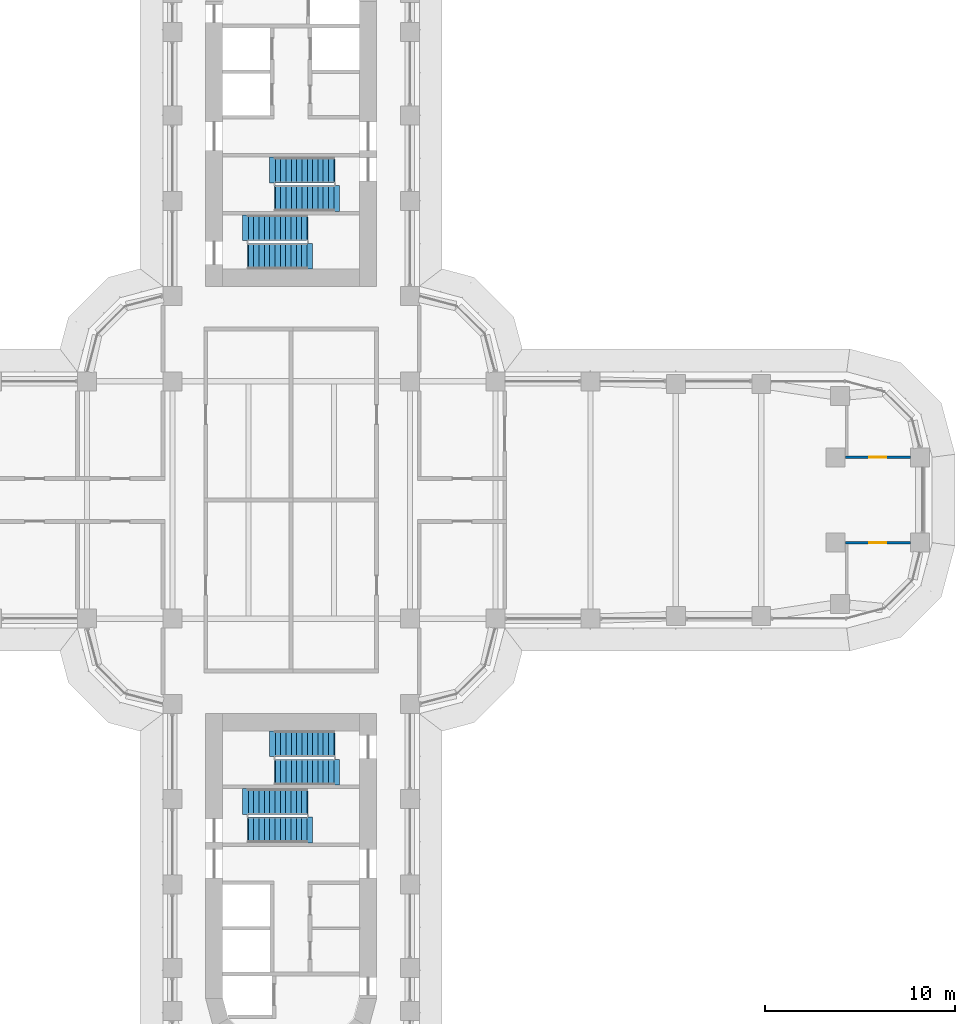
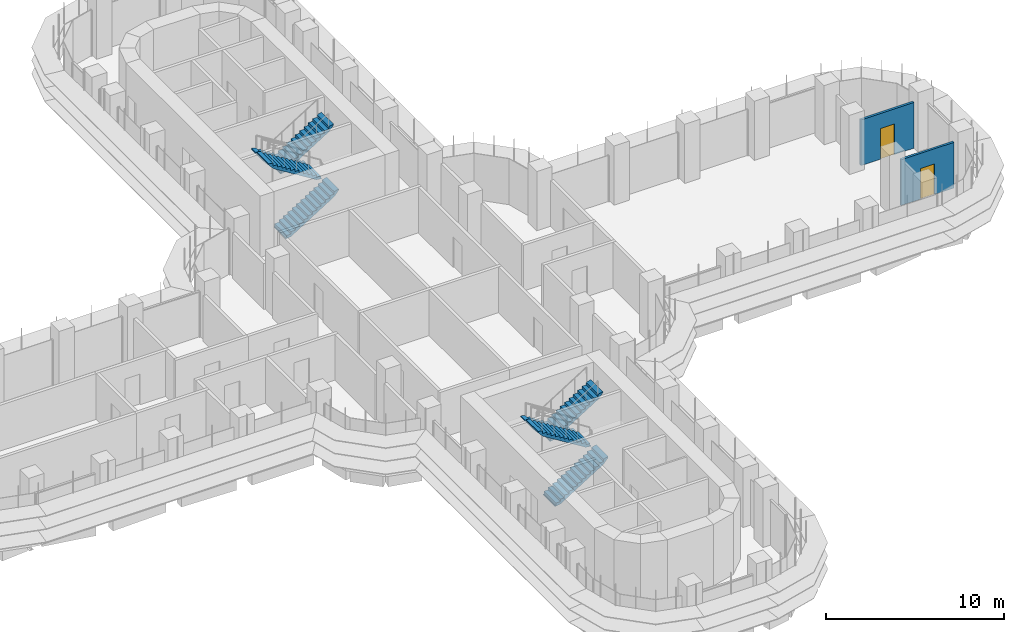
# One storey, part 19 of 23: 8 stair flights, 2 doors, 2 walls, 2 openings, 4 elements without a shape of their own.
"""IFC4 building model written with IfcOpenShell, lengths in metres."""

from ifc_helpers import new_model, si_unit, direction, frame, frame_2d, origin, place, context, subcontext, project, spatial, polyline, rectangle, outline, extrude, material, layer, layer_set, type_object, element, fill, aggregate, save


model = new_model("IFC4")

# Units and contexts
model_context = context("Model", 3, precision=1e-05, world=origin(), true_north=direction((0.0, 1.0)))
body_context = subcontext(model_context, "Body", "Model", "MODEL_VIEW")
ifc_project = project(units=[si_unit("LENGTHUNIT", "METRE"), si_unit("AREAUNIT", "SQUARE_METRE"), si_unit("VOLUMEUNIT", "CUBIC_METRE"), si_unit("PLANEANGLEUNIT", "RADIAN"), si_unit("MASSUNIT", "GRAM", prefix="KILO")], contexts=[model_context])

# Site, building, storey
site_placement = place(None, origin())
site = spatial("IfcSite", under=ifc_project, at=site_placement, CompositionType="ELEMENT")
building_placement = place(site_placement, origin())
building = spatial("IfcBuilding", under=site, at=building_placement, Name="Zarbagh Exchange Tower", CompositionType="ELEMENT")
storey_placement = place(building_placement, frame((0.0, 0.0, 60.60009765625)))
storey = spatial("IfcBuildingStorey", under=building, at=storey_placement, Name="L13", CompositionType="ELEMENT", Elevation=60.60009765625)

# Wall, opening, door
ifc_material_1 = material(Name="Plasterboard partition")
ifc_layer = layer(ifc_material_1, 0.14990234375)
ifc_layer_set = layer_set([ifc_layer], Name="PARTITION 150")
wall_type = type_object("IfcWallType", Name="PARTITION 150", PredefinedType="PARTITIONING", material=ifc_layer_set)
wall_1_placement = place(storey_placement, frame((29.175048828125, 2.25, 0.0), z_axis=(0.0, 0.0, 1.0), x_axis=(1.0, 0.0, 0.0)))
wall_1 = element("IfcWall", 1, at=wall_1_placement, inside=storey, type_object=wall_type, Name="Partition W-427", PredefinedType="PARTITIONING", context=body_context, shape_type="SweptSolid", body=[
    extrude(rectangle(XDim=3.43505859375, YDim=0.14990234375, at=frame_2d((1.717529296875, 0.0))), origin(), (0.0, 0.0, 1.0), 3.13037109375),
])
opening_1_placement = place(wall_1_placement, frame((1.267578125, 0.0, 0.0)))
opening_1 = element("IfcOpeningElement", 2, at=opening_1_placement, cuts=wall_1, Name="Opening D-405", PredefinedType="OPENING", context=body_context, shape_type="SweptSolid", body=[
    extrude(rectangle(XDim=0.89990234375, YDim=2.10009765625, at=frame_2d((0.449951171875, 1.050048828125))), frame((0.0, 0.0849609375, 0.0), z_axis=(0.0, -1.0, 0.0), x_axis=(1.0, 0.0, 0.0)), (0.0, 0.0, 1.0), 0.169921875),
])
ifc_material_2 = material(Name="Timber door leaf", Category="wood")
door_type = type_object("IfcDoorType", Name="DOOR 900 X 2100", OperationType="NOTDEFINED", PredefinedType="DOOR", material=ifc_material_2)
door_1_placement = place(opening_1_placement, origin())
door_1 = element("IfcDoor", 3, at=door_1_placement, inside=storey, type_object=door_type, Name="Door D-405", OperationType="SINGLE_SWING_LEFT", OverallHeight=2.10009765625, OverallWidth=0.89990234375, PredefinedType="DOOR", context=body_context, shape_type="SweptSolid", body=[
    extrude(rectangle(XDim=0.89990234375, YDim=2.10009765625, at=frame_2d((0.449951171875, 1.050048828125))), frame((0.0, 0.02490234375, 0.0), z_axis=(0.0, -1.0, 0.0), x_axis=(1.0, 0.0, 0.0)), (0.0, 0.0, 1.0), 0.050048828125),
])
fill(opening_1, door_1)

wall_2_placement = place(storey_placement, frame((32.610107421875, -2.25, 0.0), z_axis=(0.0, 0.0, 1.0), x_axis=(-1.0, 0.0, 0.0)))
wall_2 = element("IfcWall", 4, at=wall_2_placement, inside=storey, type_object=wall_type, Name="Partition W-428", PredefinedType="PARTITIONING", context=body_context, shape_type="SweptSolid", body=[
    extrude(rectangle(XDim=3.43505859375, YDim=0.14990234375, at=frame_2d((1.717529296875, 0.0))), origin(), (0.0, 0.0, 1.0), 3.13037109375),
])
opening_2_placement = place(wall_2_placement, frame((1.267578125, 0.0, 0.0)))
opening_2 = element("IfcOpeningElement", 5, at=opening_2_placement, cuts=wall_2, Name="Opening D-406", PredefinedType="OPENING", context=body_context, shape_type="SweptSolid", body=[
    extrude(rectangle(XDim=0.89990234375, YDim=2.10009765625, at=frame_2d((0.449951171875, 1.050048828125))), frame((0.0, 0.0849609375, 0.0), z_axis=(0.0, -1.0, 0.0), x_axis=(1.0, 0.0, 0.0)), (0.0, 0.0, 1.0), 0.169921875),
])
door_2_placement = place(opening_2_placement, origin())
door_2 = element("IfcDoor", 6, at=door_2_placement, inside=storey, type_object=door_type, Name="Door D-406", OperationType="SINGLE_SWING_RIGHT", OverallHeight=2.10009765625, OverallWidth=0.89990234375, PredefinedType="DOOR", context=body_context, shape_type="SweptSolid", body=[
    extrude(rectangle(XDim=0.89990234375, YDim=2.10009765625, at=frame_2d((0.449951171875, 1.050048828125))), frame((0.0, 0.02490234375, 0.0), z_axis=(0.0, -1.0, 0.0), x_axis=(1.0, 0.0, 0.0)), (0.0, 0.0, 1.0), 0.050048828125),
])
fill(opening_2, door_2)

# Stair, stair flights
ifc_material_3 = material(Name="Concrete C40/50", Category="concrete")
stair_type = type_object("IfcStairType", Name="Exit stair two-flight half-turn", PredefinedType="HALF_TURN_STAIR", material=ifc_material_3)
stair_1_placement = place(storey_placement, origin())
stair_1 = element("IfcStair", 7, at=stair_1_placement, inside=storey, type_object=stair_type, Name="exit stair ST1", PredefinedType="HALF_TURN_STAIR")
stair_flight_type = type_object("IfcStairFlightType", Name="Stair flight 1350 mm", PredefinedType="STRAIGHT", material=ifc_material_3)
stair_flight_1_placement = place(storey_placement, frame((2.25, 17.375, 0.0), z_axis=(0.0, 0.0, 1.0), x_axis=(-1.0, 0.0, 0.0)))
stair_flight_1 = element("IfcStairFlight", 8, at=stair_flight_1_placement, type_object=stair_flight_type, Name="ST1 flight 1", NumberOfRisers=12, NumberOfTreads=11, PredefinedType="STRAIGHT", RiserHeight=0.175, TreadLength=0.28, context=body_context, shape_type="SweptSolid", body=[
    extrude(outline(polyline([(-0.050048828125, -0.050048828125), (-0.050048828125, 0.0), (0.0, 0.0), (0.0, 0.175048828125), (0.280029296875, 0.175048828125), (0.280029296875, 0.35009765625), (0.56005859375, 0.35009765625), (0.56005859375, 0.52490234375), (0.840087890625, 0.52490234375), (0.840087890625, 0.699951171875), (1.1201171875, 0.699951171875), (1.1201171875, 0.875), (1.39990234375, 0.875), (1.39990234375, 1.050048828125), (1.679931640625, 1.050048828125), (1.679931640625, 1.22509765625), (1.9599609375, 1.22509765625), (1.9599609375, 1.39990234375), (2.239990234375, 1.39990234375), (2.239990234375, 1.574951171875), (2.52001953125, 1.574951171875), (2.52001953125, 1.75), (2.800048828125, 1.75), (2.800048828125, 1.925048828125), (3.080078125, 1.925048828125), (3.080078125, 2.10009765625), (3.3798828125, 2.179931640625), (3.3798828125, 2.10009765625), (3.080078125, 1.748291015625), (0.28271484375, 0.0), (-0.050048828125, -0.050048828125)])), frame((0.0, 0.675048828125, 0.0), z_axis=(0.0, -1.0, 0.0), x_axis=(1.0, 0.0, 0.0)), (0.0, 0.0, 1.0), 1.35009765625),
])
stair_flight_2_placement = place(storey_placement, frame((-0.830078125, 15.875, 2.099853515625), z_axis=(0.0, 0.0, 1.0), x_axis=(1.0, 0.0, 0.0)))
stair_flight_2 = element("IfcStairFlight", 9, at=stair_flight_2_placement, type_object=stair_flight_type, Name="ST1 flight 2", NumberOfRisers=12, NumberOfTreads=11, PredefinedType="STRAIGHT", RiserHeight=0.175, TreadLength=0.28, context=body_context, shape_type="SweptSolid", body=[
    extrude(outline(polyline([(-0.050048828125, -0.050048828125), (-0.050048828125, 0.0), (0.0, 0.0), (0.0, 0.175048828125), (0.280029296875, 0.175048828125), (0.280029296875, 0.35009765625), (0.56005859375, 0.35009765625), (0.56005859375, 0.52490234375), (0.840087890625, 0.52490234375), (0.840087890625, 0.699951171875), (1.1201171875, 0.699951171875), (1.1201171875, 0.875), (1.39990234375, 0.875), (1.39990234375, 1.050048828125), (1.679931640625, 1.050048828125), (1.679931640625, 1.22509765625), (1.9599609375, 1.22509765625), (1.9599609375, 1.39990234375), (2.239990234375, 1.39990234375), (2.239990234375, 1.574951171875), (2.52001953125, 1.574951171875), (2.52001953125, 1.75), (2.800048828125, 1.75), (2.800048828125, 1.925048828125), (3.080078125, 1.925048828125), (3.080078125, 2.10009765625), (3.3798828125, 2.179931640625), (3.3798828125, 2.10009765625), (3.080078125, 1.748291015625), (0.28271484375, 0.0), (-0.050048828125, -0.050048828125)])), frame((0.0, 0.675048828125, 0.0), z_axis=(0.0, -1.0, 0.0), x_axis=(1.0, 0.0, 0.0)), (0.0, 0.0, 1.0), 1.35009765625),
])
aggregate(stair_1, [stair_flight_1, stair_flight_2])

stair_2_placement = place(storey_placement, origin())
stair_2 = element("IfcStair", 10, at=stair_2_placement, inside=storey, type_object=stair_type, Name="exit stair ST2", PredefinedType="HALF_TURN_STAIR")
stair_flight_3_placement = place(storey_placement, frame((-2.25, 12.824951171875, 0.0), z_axis=(0.0, 0.0, 1.0), x_axis=(1.0, 0.0, 0.0)))
stair_flight_3 = element("IfcStairFlight", 11, at=stair_flight_3_placement, type_object=stair_flight_type, Name="ST2 flight 1", NumberOfRisers=12, NumberOfTreads=11, PredefinedType="STRAIGHT", RiserHeight=0.175, TreadLength=0.28, context=body_context, shape_type="SweptSolid", body=[
    extrude(outline(polyline([(-0.050048828125, -0.050048828125), (-0.050048828125, 0.0), (0.0, 0.0), (0.0, 0.175048828125), (0.280029296875, 0.175048828125), (0.280029296875, 0.35009765625), (0.56005859375, 0.35009765625), (0.56005859375, 0.52490234375), (0.840087890625, 0.52490234375), (0.840087890625, 0.699951171875), (1.1201171875, 0.699951171875), (1.1201171875, 0.875), (1.39990234375, 0.875), (1.39990234375, 1.050048828125), (1.679931640625, 1.050048828125), (1.679931640625, 1.22509765625), (1.9599609375, 1.22509765625), (1.9599609375, 1.39990234375), (2.239990234375, 1.39990234375), (2.239990234375, 1.574951171875), (2.52001953125, 1.574951171875), (2.52001953125, 1.75), (2.800048828125, 1.75), (2.800048828125, 1.925048828125), (3.080078125, 1.925048828125), (3.080078125, 2.10009765625), (3.3798828125, 2.179931640625), (3.3798828125, 2.10009765625), (3.080078125, 1.748291015625), (0.28271484375, 0.0), (-0.050048828125, -0.050048828125)])), frame((0.0, 0.675048828125, 0.0), z_axis=(0.0, -1.0, 0.0), x_axis=(1.0, 0.0, 0.0)), (0.0, 0.0, 1.0), 1.35009765625),
])
stair_flight_4_placement = place(storey_placement, frame((0.830078125, 14.324951171875, 2.099853515625), z_axis=(0.0, 0.0, 1.0), x_axis=(-1.0, 0.0, 0.0)))
stair_flight_4 = element("IfcStairFlight", 12, at=stair_flight_4_placement, type_object=stair_flight_type, Name="ST2 flight 2", NumberOfRisers=12, NumberOfTreads=11, PredefinedType="STRAIGHT", RiserHeight=0.175, TreadLength=0.28, context=body_context, shape_type="SweptSolid", body=[
    extrude(outline(polyline([(-0.050048828125, -0.050048828125), (-0.050048828125, 0.0), (0.0, 0.0), (0.0, 0.175048828125), (0.280029296875, 0.175048828125), (0.280029296875, 0.35009765625), (0.56005859375, 0.35009765625), (0.56005859375, 0.52490234375), (0.840087890625, 0.52490234375), (0.840087890625, 0.699951171875), (1.1201171875, 0.699951171875), (1.1201171875, 0.875), (1.39990234375, 0.875), (1.39990234375, 1.050048828125), (1.679931640625, 1.050048828125), (1.679931640625, 1.22509765625), (1.9599609375, 1.22509765625), (1.9599609375, 1.39990234375), (2.239990234375, 1.39990234375), (2.239990234375, 1.574951171875), (2.52001953125, 1.574951171875), (2.52001953125, 1.75), (2.800048828125, 1.75), (2.800048828125, 1.925048828125), (3.080078125, 1.925048828125), (3.080078125, 2.10009765625), (3.3798828125, 2.179931640625), (3.3798828125, 2.10009765625), (3.080078125, 1.748291015625), (0.28271484375, 0.0), (-0.050048828125, -0.050048828125)])), frame((0.0, 0.675048828125, 0.0), z_axis=(0.0, -1.0, 0.0), x_axis=(1.0, 0.0, 0.0)), (0.0, 0.0, 1.0), 1.35009765625),
])
aggregate(stair_2, [stair_flight_3, stair_flight_4])

stair_3_placement = place(storey_placement, origin())
stair_3 = element("IfcStair", 13, at=stair_3_placement, inside=storey, type_object=stair_type, Name="exit stair ST3", PredefinedType="HALF_TURN_STAIR")
stair_flight_5_placement = place(storey_placement, frame((-2.25, -17.375, 0.0), z_axis=(0.0, 0.0, 1.0), x_axis=(1.0, 0.0, 0.0)))
stair_flight_5 = element("IfcStairFlight", 14, at=stair_flight_5_placement, type_object=stair_flight_type, Name="ST3 flight 1", NumberOfRisers=12, NumberOfTreads=11, PredefinedType="STRAIGHT", RiserHeight=0.175, TreadLength=0.28, context=body_context, shape_type="SweptSolid", body=[
    extrude(outline(polyline([(-0.050048828125, -0.050048828125), (-0.050048828125, 0.0), (0.0, 0.0), (0.0, 0.175048828125), (0.280029296875, 0.175048828125), (0.280029296875, 0.35009765625), (0.56005859375, 0.35009765625), (0.56005859375, 0.52490234375), (0.840087890625, 0.52490234375), (0.840087890625, 0.699951171875), (1.1201171875, 0.699951171875), (1.1201171875, 0.875), (1.39990234375, 0.875), (1.39990234375, 1.050048828125), (1.679931640625, 1.050048828125), (1.679931640625, 1.22509765625), (1.9599609375, 1.22509765625), (1.9599609375, 1.39990234375), (2.239990234375, 1.39990234375), (2.239990234375, 1.574951171875), (2.52001953125, 1.574951171875), (2.52001953125, 1.75), (2.800048828125, 1.75), (2.800048828125, 1.925048828125), (3.080078125, 1.925048828125), (3.080078125, 2.10009765625), (3.3798828125, 2.179931640625), (3.3798828125, 2.10009765625), (3.080078125, 1.748291015625), (0.28271484375, 0.0), (-0.050048828125, -0.050048828125)])), frame((0.0, 0.675048828125, 0.0), z_axis=(0.0, -1.0, 0.0), x_axis=(1.0, 0.0, 0.0)), (0.0, 0.0, 1.0), 1.35009765625),
])
stair_flight_6_placement = place(storey_placement, frame((0.830078125, -15.875, 2.099853515625), z_axis=(0.0, 0.0, 1.0), x_axis=(-1.0, 0.0, 0.0)))
stair_flight_6 = element("IfcStairFlight", 15, at=stair_flight_6_placement, type_object=stair_flight_type, Name="ST3 flight 2", NumberOfRisers=12, NumberOfTreads=11, PredefinedType="STRAIGHT", RiserHeight=0.175, TreadLength=0.28, context=body_context, shape_type="SweptSolid", body=[
    extrude(outline(polyline([(-0.050048828125, -0.050048828125), (-0.050048828125, 0.0), (0.0, 0.0), (0.0, 0.175048828125), (0.280029296875, 0.175048828125), (0.280029296875, 0.35009765625), (0.56005859375, 0.35009765625), (0.56005859375, 0.52490234375), (0.840087890625, 0.52490234375), (0.840087890625, 0.699951171875), (1.1201171875, 0.699951171875), (1.1201171875, 0.875), (1.39990234375, 0.875), (1.39990234375, 1.050048828125), (1.679931640625, 1.050048828125), (1.679931640625, 1.22509765625), (1.9599609375, 1.22509765625), (1.9599609375, 1.39990234375), (2.239990234375, 1.39990234375), (2.239990234375, 1.574951171875), (2.52001953125, 1.574951171875), (2.52001953125, 1.75), (2.800048828125, 1.75), (2.800048828125, 1.925048828125), (3.080078125, 1.925048828125), (3.080078125, 2.10009765625), (3.3798828125, 2.179931640625), (3.3798828125, 2.10009765625), (3.080078125, 1.748291015625), (0.28271484375, 0.0), (-0.050048828125, -0.050048828125)])), frame((0.0, 0.675048828125, 0.0), z_axis=(0.0, -1.0, 0.0), x_axis=(1.0, 0.0, 0.0)), (0.0, 0.0, 1.0), 1.35009765625),
])
aggregate(stair_3, [stair_flight_5, stair_flight_6])

stair_4_placement = place(storey_placement, origin())
stair_4 = element("IfcStair", 16, at=stair_4_placement, inside=storey, type_object=stair_type, Name="exit stair ST4", PredefinedType="HALF_TURN_STAIR")
stair_flight_7_placement = place(storey_placement, frame((2.25, -12.824951171875, 0.0), z_axis=(0.0, 0.0, 1.0), x_axis=(-1.0, 0.0, 0.0)))
stair_flight_7 = element("IfcStairFlight", 17, at=stair_flight_7_placement, type_object=stair_flight_type, Name="ST4 flight 1", NumberOfRisers=12, NumberOfTreads=11, PredefinedType="STRAIGHT", RiserHeight=0.175, TreadLength=0.28, context=body_context, shape_type="SweptSolid", body=[
    extrude(outline(polyline([(-0.050048828125, -0.050048828125), (-0.050048828125, 0.0), (0.0, 0.0), (0.0, 0.175048828125), (0.280029296875, 0.175048828125), (0.280029296875, 0.35009765625), (0.56005859375, 0.35009765625), (0.56005859375, 0.52490234375), (0.840087890625, 0.52490234375), (0.840087890625, 0.699951171875), (1.1201171875, 0.699951171875), (1.1201171875, 0.875), (1.39990234375, 0.875), (1.39990234375, 1.050048828125), (1.679931640625, 1.050048828125), (1.679931640625, 1.22509765625), (1.9599609375, 1.22509765625), (1.9599609375, 1.39990234375), (2.239990234375, 1.39990234375), (2.239990234375, 1.574951171875), (2.52001953125, 1.574951171875), (2.52001953125, 1.75), (2.800048828125, 1.75), (2.800048828125, 1.925048828125), (3.080078125, 1.925048828125), (3.080078125, 2.10009765625), (3.3798828125, 2.179931640625), (3.3798828125, 2.10009765625), (3.080078125, 1.748291015625), (0.28271484375, 0.0), (-0.050048828125, -0.050048828125)])), frame((0.0, 0.675048828125, 0.0), z_axis=(0.0, -1.0, 0.0), x_axis=(1.0, 0.0, 0.0)), (0.0, 0.0, 1.0), 1.35009765625),
])
stair_flight_8_placement = place(storey_placement, frame((-0.830078125, -14.324951171875, 2.099853515625), z_axis=(0.0, 0.0, 1.0), x_axis=(1.0, 0.0, 0.0)))
stair_flight_8 = element("IfcStairFlight", 18, at=stair_flight_8_placement, type_object=stair_flight_type, Name="ST4 flight 2", NumberOfRisers=12, NumberOfTreads=11, PredefinedType="STRAIGHT", RiserHeight=0.175, TreadLength=0.28, context=body_context, shape_type="SweptSolid", body=[
    extrude(outline(polyline([(-0.050048828125, -0.050048828125), (-0.050048828125, 0.0), (0.0, 0.0), (0.0, 0.175048828125), (0.280029296875, 0.175048828125), (0.280029296875, 0.35009765625), (0.56005859375, 0.35009765625), (0.56005859375, 0.52490234375), (0.840087890625, 0.52490234375), (0.840087890625, 0.699951171875), (1.1201171875, 0.699951171875), (1.1201171875, 0.875), (1.39990234375, 0.875), (1.39990234375, 1.050048828125), (1.679931640625, 1.050048828125), (1.679931640625, 1.22509765625), (1.9599609375, 1.22509765625), (1.9599609375, 1.39990234375), (2.239990234375, 1.39990234375), (2.239990234375, 1.574951171875), (2.52001953125, 1.574951171875), (2.52001953125, 1.75), (2.800048828125, 1.75), (2.800048828125, 1.925048828125), (3.080078125, 1.925048828125), (3.080078125, 2.10009765625), (3.3798828125, 2.179931640625), (3.3798828125, 2.10009765625), (3.080078125, 1.748291015625), (0.28271484375, 0.0), (-0.050048828125, -0.050048828125)])), frame((0.0, 0.675048828125, 0.0), z_axis=(0.0, -1.0, 0.0), x_axis=(1.0, 0.0, 0.0)), (0.0, 0.0, 1.0), 1.35009765625),
])
aggregate(stair_4, [stair_flight_7, stair_flight_8])

save(model, "model.ifc")
